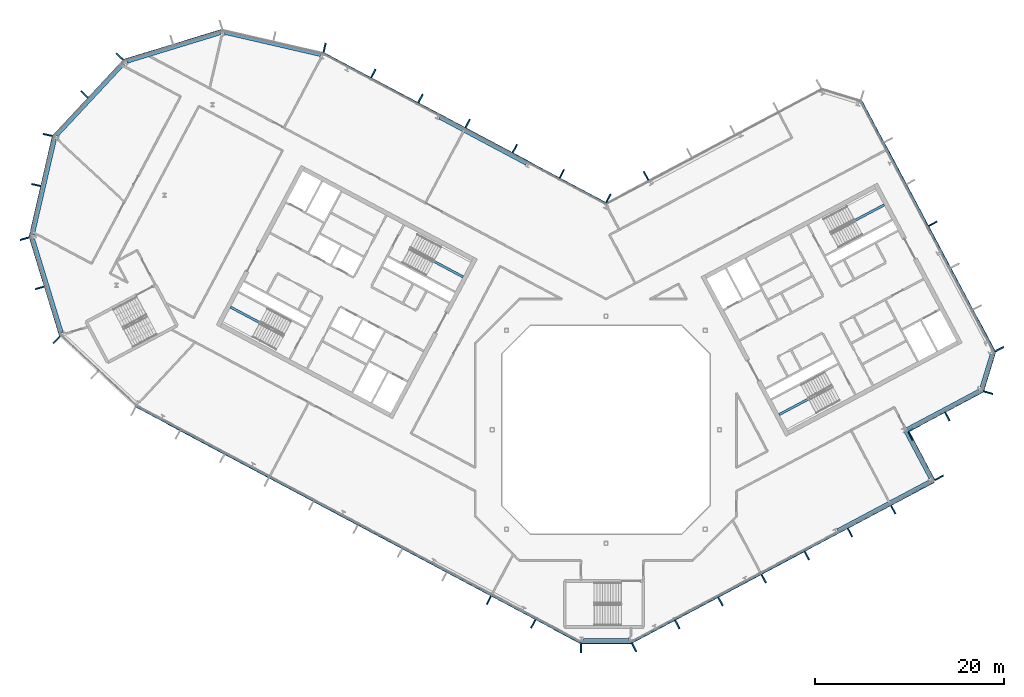
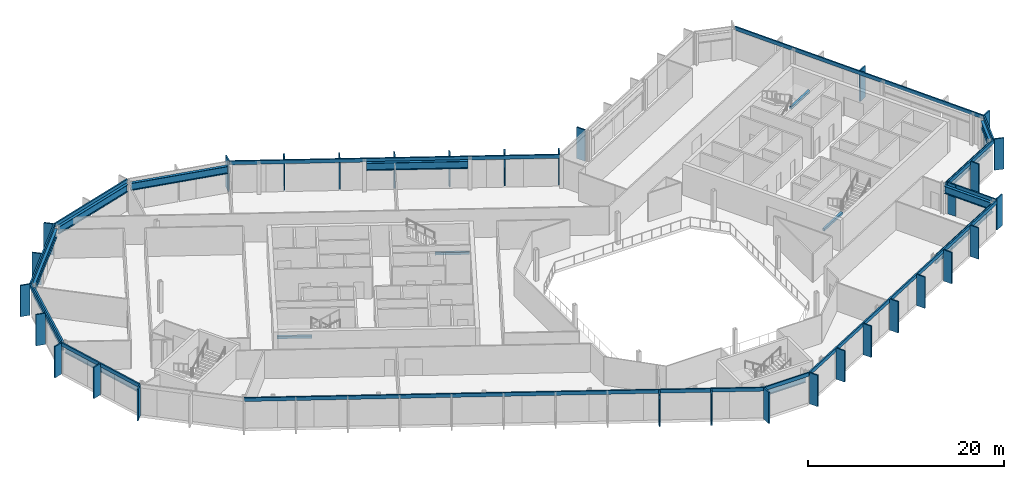
# One storey, part 9 of 26: 43 members, 15 beams, 15 elements without a shape of their own.
"""IFC4 building model written with IfcOpenShell, lengths in metres."""

import ifcopenshell
import ifcopenshell.guid

model = None  # the IFC model being written
_history = None  # IfcOwnerHistory: only IFC2X3 demands one
_inside = {}  # id of a spatial element -> (the spatial element, [elements in it])
_under = {}  # id of a project, library or spatial element -> (it, [spatial elements below it])
_declared = {}  # id of a project -> (the project, [libraries it declares])
_typed = {}  # id of a type object -> (the type object, [elements of that type])
_made_of = {}  # id of a material, layer set ... -> (it, [elements and type objects made of it])


def new_model(schema):
    """Start an empty IFC model of exactly this schema.

    Asked for "IFC4X3", IfcOpenShell would pick the latest addendum, in which some entities
    have other attributes; the version numbers below select the first issue.
    IFC2X3 requires an IfcOwnerHistory on every rooted entity: one is made here for all.
    """
    global model, _history
    if schema == "IFC4X3":
        model = ifcopenshell.file(schema_version=(4, 3, 0, 0))
    else:
        model = ifcopenshell.file(schema=schema)
    _inside.clear()
    _under.clear()
    _declared.clear()
    _typed.clear()
    _made_of.clear()
    _history = None
    if model.schema == "IFC2X3":
        org = make("IfcOrganization", Name="unknown")
        user = make(
            "IfcPersonAndOrganization",
            ThePerson=make("IfcPerson", FamilyName="unknown"),
            TheOrganization=org,
        )
        app = make(
            "IfcApplication",
            ApplicationDeveloper=org,
            Version="unknown",
            ApplicationFullName="unknown",
            ApplicationIdentifier="unknown",
        )
        _history = make(
            "IfcOwnerHistory",
            OwningUser=user,
            OwningApplication=app,
            ChangeAction="ADDED",
            CreationDate=0,
        )
    return model


def make(cls, **values):
    """One entity of the class cls with the attributes given. An attribute that is None is left unset."""
    return model.create_entity(
        cls, **{name: value for name, value in values.items() if value is not None}
    )


def rooted(cls, **values):
    """An entity with a GlobalId (a new one), such as an element, a storey or a relation."""
    return make(cls, GlobalId=ifcopenshell.guid.new(), OwnerHistory=_history, **values)


def si_unit(unit_type, name, prefix=None):
    """IfcSIUnit, for example si_unit("LENGTHUNIT", "METRE", prefix="MILLI")."""
    return make("IfcSIUnit", UnitType=unit_type, Prefix=prefix, Name=name)


def assignment(units):
    """IfcUnitAssignment: the units of a project."""
    return None if units is None else make("IfcUnitAssignment", Units=units)


def point(xyz):
    """IfcCartesianPoint."""
    return None if xyz is None else make("IfcCartesianPoint", Coordinates=xyz)


def direction(xyz):
    """IfcDirection."""
    return None if xyz is None else make("IfcDirection", DirectionRatios=xyz)


def frame(location, z_axis=None, x_axis=None):
    """IfcAxis2Placement3D, a coordinate frame: its origin and axes. An axis left out is left unset."""
    return make(
        "IfcAxis2Placement3D",
        Location=point(location),
        Axis=direction(z_axis),
        RefDirection=direction(x_axis),
    )


def frame_2d(location, x_axis=None):
    """IfcAxis2Placement2D, a coordinate frame in the plane: its origin and x axis."""
    return make(
        "IfcAxis2Placement2D", Location=point(location), RefDirection=direction(x_axis)
    )


def origin():
    """The frame at (0, 0, 0) with its axes left unset."""
    return frame((0.0, 0.0, 0.0))


def origin_2d():
    """The frame at (0, 0) in the plane with its x axis left unset."""
    return frame_2d((0.0, 0.0))


def place(relative_to, where):
    """IfcLocalPlacement: puts the frame where relative to a parent placement (None: the world)."""
    return make(
        "IfcLocalPlacement", PlacementRelTo=relative_to, RelativePlacement=where
    )


def context(
    kind, dimensions, precision=None, world=None, true_north=None, identifier=None
):
    """IfcGeometricRepresentationContext, for example the 3D "Model" context."""
    return make(
        "IfcGeometricRepresentationContext",
        ContextIdentifier=identifier,
        ContextType=kind,
        CoordinateSpaceDimension=dimensions,
        Precision=precision,
        WorldCoordinateSystem=world,
        TrueNorth=true_north,
    )


def subcontext(parent, identifier, kind, view, scale=None):
    """IfcGeometricRepresentationSubContext, for example "Body" below "Model"."""
    return make(
        "IfcGeometricRepresentationSubContext",
        ContextIdentifier=identifier,
        ContextType=kind,
        ParentContext=parent,
        TargetScale=scale,
        TargetView=view,
    )


def project(units=None, contexts=None):
    """IfcProject with its units and contexts."""
    return rooted(
        "IfcProject",
        Name="project",
        RepresentationContexts=contexts,
        UnitsInContext=assignment(units),
    )


def spatial(cls, under=None, at=None, **own):
    """A site, building, storey or space (cls), placed at a placement, below another one or the project."""
    s = rooted(cls, ObjectPlacement=at, **own)
    if under is not None:
        _under.setdefault(under.id(), (under, []))[1].append(s)
    return s


def profile(cls, at=None, kind="AREA", **sizes):
    """A parametric profile (cls). Its sizes go by their IFC names, for example OverallWidth=200.0."""
    return make(cls, ProfileType=kind, Position=at, **sizes)


def rectangle(**sizes):
    """IfcRectangleProfileDef."""
    return profile("IfcRectangleProfileDef", **sizes)


def i_section(**sizes):
    """IfcIShapeProfileDef."""
    return profile("IfcIShapeProfileDef", **sizes)


def extrude(swept, where, along, depth):
    """IfcExtrudedAreaSolid: the profile swept, set in the frame where, extruded along a direction by depth."""
    return make(
        "IfcExtrudedAreaSolid",
        SweptArea=swept,
        Position=where,
        ExtrudedDirection=direction(along),
        Depth=depth,
    )


def shape(context_of_items, identifier, shape_type, items):
    """IfcShapeRepresentation: the items that make up one representation, for example the "Body"."""
    return make(
        "IfcShapeRepresentation",
        ContextOfItems=context_of_items,
        RepresentationIdentifier=identifier,
        RepresentationType=shape_type,
        Items=items,
    )


def material(Name=None, Category=None):
    """IfcMaterial."""
    return make("IfcMaterial", Name=Name, Category=Category)


def layer(
    of_material, thickness, ventilated=None, Name=None, Category=None, Priority=None
):
    """IfcMaterialLayer: one layer of a wall or slab, of a material (None: an air gap)."""
    return make(
        "IfcMaterialLayer",
        Material=of_material,
        LayerThickness=thickness,
        IsVentilated=ventilated,
        Name=Name,
        Category=Category,
        Priority=Priority,
    )


def layer_set(layers, Name=None):
    """IfcMaterialLayerSet."""
    return make("IfcMaterialLayerSet", MaterialLayers=layers, LayerSetName=Name)


def material_profile(
    of_material, cross_section, Name=None, Category=None, Priority=None
):
    """IfcMaterialProfile: a cross section and its material."""
    return make(
        "IfcMaterialProfile",
        Name=Name,
        Material=of_material,
        Profile=cross_section,
        Priority=Priority,
        Category=Category,
    )


def profile_set(profiles, Name=None, composite=None):
    """IfcMaterialProfileSet."""
    return make(
        "IfcMaterialProfileSet",
        Name=Name,
        MaterialProfiles=profiles,
        CompositeProfile=composite,
    )


def made_of(thing, what):
    """Note that an element or type object is made of a material, layer set ...; save() writes the relation."""
    if what is not None:
        _made_of.setdefault(what.id(), (what, []))[1].append(thing)
    return thing


def type_object(cls, material=None, **own):
    """A type object (cls), such as IfcWallType, which elements share."""
    return made_of(rooted(cls, **own), material)


def element(
    cls,
    number,
    at=None,
    inside=None,
    cuts=None,
    type_object=None,
    material=None,
    context=None,
    identifier="Body",
    shape_type=None,
    held_by="IfcProductDefinitionShape",
    body=None,
    shapes=None,
    **own,
):
    """One element of the class cls, such as IfcWall. Its Tag is "e" and its number.

    at: its placement. inside: the storey or other place that contains it. cuts: it is an
    opening in that element (IfcRelVoidsElement). A single representation is given by context,
    identifier, shape_type and body (its items); several are given by shapes. held_by: the class
    of the entity that holds the representations. save() writes the other relations.
    """
    e = rooted(cls, Tag="e%d" % number, ObjectPlacement=at, **own)
    if body is not None:
        shapes = [shape(context, identifier, shape_type, body)]
    if shapes is not None:
        e.Representation = make(held_by, Representations=shapes)
    if inside is not None:
        _inside.setdefault(inside.id(), (inside, []))[1].append(e)
    if cuts is not None:
        rooted(
            "IfcRelVoidsElement", RelatingBuildingElement=cuts, RelatedOpeningElement=e
        )
    if type_object is not None:
        _typed.setdefault(type_object.id(), (type_object, []))[1].append(e)
    return made_of(e, material)


def aggregate(whole, parts):
    """IfcRelAggregates: a whole, such as a stair, and the parts it consists of."""
    return rooted("IfcRelAggregates", RelatingObject=whole, RelatedObjects=parts)


def save(model, path):
    """Write the relations noted so far, then the file.

    IfcRelAggregates (storeys below a building ...), IfcRelContainedInSpatialStructure (elements
    in a storey), IfcRelDefinesByType, IfcRelAssociatesMaterial and IfcRelDeclares: one each for
    every whole, place, type object, material and project.
    """
    for whole, parts in _under.values():
        aggregate(whole, parts)
    for where, things in _inside.values():
        rooted(
            "IfcRelContainedInSpatialStructure",
            RelatedElements=things,
            RelatingStructure=where,
        )
    for kind, things in _typed.values():
        rooted("IfcRelDefinesByType", RelatedObjects=things, RelatingType=kind)
    for what, things in _made_of.values():
        rooted("IfcRelAssociatesMaterial", RelatedObjects=things, RelatingMaterial=what)
    for by, libraries in _declared.values():
        rooted("IfcRelDeclares", RelatingContext=by, RelatedDefinitions=libraries)
    model.write(path)


model = new_model("IFC4")

# Units and contexts
model_context = context("Model", 3, precision=1e-05, world=origin(), true_north=direction((0.0, 1.0)))
body_context = subcontext(model_context, "Body", "Model", "MODEL_VIEW")
ifc_project = project(units=[si_unit("LENGTHUNIT", "METRE"), si_unit("AREAUNIT", "SQUARE_METRE"), si_unit("VOLUMEUNIT", "CUBIC_METRE"), si_unit("PLANEANGLEUNIT", "RADIAN"), si_unit("MASSUNIT", "GRAM", prefix="KILO")], contexts=[model_context])

# Site, building, storey
site_placement = place(None, origin())
site = spatial("IfcSite", under=ifc_project, at=site_placement, CompositionType="ELEMENT")
building_placement = place(site_placement, origin())
building = spatial("IfcBuilding", under=site, at=building_placement, Name="Cormorant Relay Tower", CompositionType="ELEMENT")
storey_placement = place(building_placement, frame((0.0, 0.0, 277.5)))
storey = spatial("IfcBuildingStorey", under=building, at=storey_placement, Name="L62", CompositionType="ELEMENT", Elevation=277.5)

# Curtain wall, member
ifc_material_1 = material(Name="Aluminium 6063-T6 anodised bronze", Category="aluminium")
ifc_layer = layer(ifc_material_1, 0.199951171875)
ifc_layer_set = layer_set([ifc_layer], Name="CW1 unitised bronze curtain wall with vertical fins")
curtain_wall_type = type_object("IfcCurtainWallType", Name="CW1 unitised bronze curtain wall with vertical fins", PredefinedType="NOTDEFINED", material=ifc_layer_set)
curtain_wall_1_placement = place(storey_placement, origin())
curtain_wall_1 = element("IfcCurtainWall", 1, at=curtain_wall_1_placement, inside=storey, type_object=curtain_wall_type, Name="CW1 curtain wall 1", PredefinedType="NOTDEFINED")
ifc_material_2 = material(Name="Aluminium 6063-T6 anodised bronze", Category="aluminium")
ifc_material_profile_1 = material_profile(ifc_material_2, rectangle(XDim=0.14990234375, YDim=1.0, at=origin_2d()), Name="AL 150x1000")
ifc_profile_set_1 = profile_set([ifc_material_profile_1], Name="Aluminium 6063-T6 anodised bronze")
member_type_1 = type_object("IfcMemberType", Name="CW1 bronze fin mullion 150 x 1000", PredefinedType="MULLION", material=ifc_profile_set_1)
member_1_placement = place(storey_placement, frame((-2.648681640625, -23.07568359375, 0.0), z_axis=(0.0, 0.0, 1.0), x_axis=(1.0, 0.0, 0.0)))
member_1 = element("IfcMember", 2, at=member_1_placement, type_object=member_type_1, Name="CW1 fin 1.1", PredefinedType="MULLION", context=body_context, shape_type="SweptSolid", body=[
    extrude(rectangle(XDim=0.14990234375, YDim=1.0, at=origin_2d()), origin(), (0.0, 0.0, 1.0), 3.89990234375),
])

# Curtain wall, members
curtain_wall_2_placement = place(storey_placement, origin())
curtain_wall_2 = element("IfcCurtainWall", 3, at=curtain_wall_2_placement, inside=storey, type_object=curtain_wall_type, Name="CW1 curtain wall 2", PredefinedType="NOTDEFINED")
member_2_placement = place(storey_placement, frame((2.9775390625, -22.99365234375, 0.0), z_axis=(0.0, 0.0, 1.0), x_axis=(0.882947592859, 0.469471562786, 0.0)))
member_2 = element("IfcMember", 4, at=member_2_placement, type_object=member_type_1, Name="CW1 fin 2.1", PredefinedType="MULLION", context=body_context, shape_type="SweptSolid", body=[
    extrude(rectangle(XDim=0.14990234375, YDim=1.0, at=origin_2d()), origin(), (0.0, 0.0, 1.0), 3.89990234375),
])
member_3_placement = place(storey_placement, frame((7.539306640625, -20.568115234375, 0.0), z_axis=(0.0, 0.0, 1.0), x_axis=(0.882947592859, 0.469471562786, 0.0)))
member_3 = element("IfcMember", 5, at=member_3_placement, type_object=member_type_1, Name="CW1 fin 2.2", PredefinedType="MULLION", context=body_context, shape_type="SweptSolid", body=[
    extrude(rectangle(XDim=0.14990234375, YDim=1.0, at=origin_2d()), origin(), (0.0, 0.0, 1.0), 3.89990234375),
])
member_4_placement = place(storey_placement, frame((12.10107421875, -18.142578125, 0.0), z_axis=(0.0, 0.0, 1.0), x_axis=(0.882947592859, 0.469471562786, 0.0)))
member_4 = element("IfcMember", 6, at=member_4_placement, type_object=member_type_1, Name="CW1 fin 2.3", PredefinedType="MULLION", context=body_context, shape_type="SweptSolid", body=[
    extrude(rectangle(XDim=0.14990234375, YDim=1.0, at=origin_2d()), origin(), (0.0, 0.0, 1.0), 3.89990234375),
])
member_5_placement = place(storey_placement, frame((16.662841796875, -15.717041015625, 0.0), z_axis=(0.0, 0.0, 1.0), x_axis=(0.882947592859, 0.469471562786, 0.0)))
member_5 = element("IfcMember", 7, at=member_5_placement, type_object=member_type_1, Name="CW1 fin 2.4", PredefinedType="MULLION", context=body_context, shape_type="SweptSolid", body=[
    extrude(rectangle(XDim=0.14990234375, YDim=1.0, at=origin_2d()), origin(), (0.0, 0.0, 1.0), 3.89990234375),
])
member_6_placement = place(storey_placement, frame((21.224609375, -13.29150390625, 0.0), z_axis=(0.0, 0.0, 1.0), x_axis=(0.882947592859, 0.469471562786, 0.0)))
member_6 = element("IfcMember", 8, at=member_6_placement, type_object=member_type_1, Name="CW1 fin 2.5", PredefinedType="MULLION", context=body_context, shape_type="SweptSolid", body=[
    extrude(rectangle(XDim=0.14990234375, YDim=1.0, at=origin_2d()), origin(), (0.0, 0.0, 1.0), 3.89990234375),
])
member_7_placement = place(storey_placement, frame((25.78662109375, -10.865966796875, 0.0), z_axis=(0.0, 0.0, 1.0), x_axis=(0.882947592859, 0.469471562786, 0.0)))
member_7 = element("IfcMember", 9, at=member_7_placement, type_object=member_type_1, Name="CW1 fin 2.6", PredefinedType="MULLION", context=body_context, shape_type="SweptSolid", body=[
    extrude(rectangle(XDim=0.14990234375, YDim=1.0, at=origin_2d()), origin(), (0.0, 0.0, 1.0), 3.89990234375),
])
member_8_placement = place(storey_placement, frame((30.348388671875, -8.440185546875, 0.0), z_axis=(0.0, 0.0, 1.0), x_axis=(0.882947592859, 0.469471562786, 0.0)))
member_8 = element("IfcMember", 10, at=member_8_placement, type_object=member_type_1, Name="CW1 fin 2.7", PredefinedType="MULLION", context=body_context, shape_type="SweptSolid", body=[
    extrude(rectangle(XDim=0.14990234375, YDim=1.0, at=origin_2d()), origin(), (0.0, 0.0, 1.0), 3.89990234375),
])

# Curtain wall, member
curtain_wall_3_placement = place(storey_placement, origin())
curtain_wall_3 = element("IfcCurtainWall", 11, at=curtain_wall_3_placement, inside=storey, type_object=curtain_wall_type, Name="CW1 curtain wall 3", PredefinedType="NOTDEFINED")
member_9_placement = place(storey_placement, frame((35.199462890625, -5.068115234375, 0.0), z_axis=(0.0, 0.0, 1.0), x_axis=(-0.469471562786, 0.882947592859, 0.0)))
member_9 = element("IfcMember", 12, at=member_9_placement, type_object=member_type_1, Name="CW1 fin 3.1", PredefinedType="MULLION", context=body_context, shape_type="SweptSolid", body=[
    extrude(rectangle(XDim=0.14990234375, YDim=1.0, at=origin_2d()), origin(), (0.0, 0.0, 1.0), 3.89990234375),
])

# Curtain wall, members
curtain_wall_4_placement = place(storey_placement, origin())
curtain_wall_4 = element("IfcCurtainWall", 13, at=curtain_wall_4_placement, inside=storey, type_object=curtain_wall_type, Name="CW1 curtain wall 4", PredefinedType="NOTDEFINED")
member_10_placement = place(storey_placement, frame((32.159423828125, -0.681884765625, 0.0), z_axis=(0.0, 0.0, 1.0), x_axis=(0.882947592859, 0.469471562786, 0.0)))
member_10 = element("IfcMember", 14, at=member_10_placement, type_object=member_type_1, Name="CW1 fin 4.1", PredefinedType="MULLION", context=body_context, shape_type="SweptSolid", body=[
    extrude(rectangle(XDim=0.14990234375, YDim=1.0, at=origin_2d()), origin(), (0.0, 0.0, 1.0), 3.89990234375),
])
member_11_placement = place(storey_placement, frame((36.06640625, 1.3955078125, 0.0), z_axis=(0.0, 0.0, 1.0), x_axis=(0.882947592859, 0.469471562786, 0.0)))
member_11 = element("IfcMember", 15, at=member_11_placement, type_object=member_type_1, Name="CW1 fin 4.2", PredefinedType="MULLION", context=body_context, shape_type="SweptSolid", body=[
    extrude(rectangle(XDim=0.14990234375, YDim=1.0, at=origin_2d()), origin(), (0.0, 0.0, 1.0), 3.89990234375),
])

# Curtain wall, member
curtain_wall_5_placement = place(storey_placement, origin())
curtain_wall_5 = element("IfcCurtainWall", 16, at=curtain_wall_5_placement, inside=storey, type_object=curtain_wall_type, Name="CW1 curtain wall 5", PredefinedType="NOTDEFINED")
member_12_placement = place(storey_placement, frame((40.380615234375, 3.921630859375, 0.0), z_axis=(0.0, 0.0, 1.0), x_axis=(0.292371704723, 0.956304755963, 0.0)))
member_12 = element("IfcMember", 17, at=member_12_placement, type_object=member_type_1, Name="CW1 fin 5.1", PredefinedType="MULLION", context=body_context, shape_type="SweptSolid", body=[
    extrude(rectangle(XDim=0.14990234375, YDim=1.0, at=origin_2d()), origin(), (0.0, 0.0, 1.0), 3.89990234375),
])

# Curtain wall, members
curtain_wall_6_placement = place(storey_placement, origin())
curtain_wall_6 = element("IfcCurtainWall", 18, at=curtain_wall_6_placement, inside=storey, type_object=curtain_wall_type, Name="CW1 curtain wall 6", PredefinedType="NOTDEFINED")
member_13_placement = place(storey_placement, frame((41.569580078125, 8.51220703125, 0.0), z_axis=(0.0, 0.0, 1.0), x_axis=(-0.469471562786, 0.882947592859, 0.0)))
member_13 = element("IfcMember", 19, at=member_13_placement, type_object=member_type_1, Name="CW1 fin 6.1", PredefinedType="MULLION", context=body_context, shape_type="SweptSolid", body=[
    extrude(rectangle(XDim=0.14990234375, YDim=1.0, at=origin_2d()), origin(), (0.0, 0.0, 1.0), 3.89990234375),
])
member_14_placement = place(storey_placement, frame((34.527587890625, 21.75634765625, 0.0), z_axis=(0.0, 0.0, 1.0), x_axis=(-0.469471562786, 0.882947592859, 0.0)))
member_14 = element("IfcMember", 20, at=member_14_placement, type_object=member_type_1, Name="CW1 fin 6.4", PredefinedType="MULLION", context=body_context, shape_type="SweptSolid", body=[
    extrude(rectangle(XDim=0.14990234375, YDim=1.0, at=origin_2d()), origin(), (0.0, 0.0, 1.0), 3.89990234375),
])

# Curtain wall, member
curtain_wall_7_placement = place(storey_placement, origin())
curtain_wall_7 = element("IfcCurtainWall", 21, at=curtain_wall_7_placement, inside=storey, type_object=curtain_wall_type, Name="CW1 curtain wall 8", PredefinedType="NOTDEFINED")
member_15_placement = place(storey_placement, frame((4.2333984375, 26.82763671875, 0.0), z_axis=(0.0, 0.0, 1.0), x_axis=(-0.882947592859, -0.469471562786, 0.0)))
member_15 = element("IfcMember", 22, at=member_15_placement, type_object=member_type_1, Name="CW1 fin 8.5", PredefinedType="MULLION", context=body_context, shape_type="SweptSolid", body=[
    extrude(rectangle(XDim=0.14990234375, YDim=1.0, at=origin_2d()), origin(), (0.0, 0.0, 1.0), 3.89990234375),
])
aggregate(curtain_wall_7, [member_15])

# Curtain wall, members
curtain_wall_8_placement = place(storey_placement, origin())
curtain_wall_8 = element("IfcCurtainWall", 23, at=curtain_wall_8_placement, inside=storey, type_object=curtain_wall_type, Name="CW1 curtain wall 9", PredefinedType="NOTDEFINED")
member_16_placement = place(storey_placement, frame((0.262451171875, 24.437255859375, 0.0), z_axis=(0.0, 0.0, 1.0), x_axis=(-0.882947592859, 0.469471562786, 0.0)))
member_16 = element("IfcMember", 24, at=member_16_placement, type_object=member_type_1, Name="CW1 fin 9.1", PredefinedType="MULLION", context=body_context, shape_type="SweptSolid", body=[
    extrude(rectangle(XDim=0.14990234375, YDim=1.0, at=origin_2d()), origin(), (0.0, 0.0, 1.0), 3.89990234375),
])
member_17_placement = place(storey_placement, frame((-4.650390625, 27.04931640625, 0.0), z_axis=(0.0, 0.0, 1.0), x_axis=(-0.882947592859, 0.469471562786, 0.0)))
member_17 = element("IfcMember", 25, at=member_17_placement, type_object=member_type_1, Name="CW1 fin 9.2", PredefinedType="MULLION", context=body_context, shape_type="SweptSolid", body=[
    extrude(rectangle(XDim=0.14990234375, YDim=1.0, at=origin_2d()), origin(), (0.0, 0.0, 1.0), 3.89990234375),
])
member_18_placement = place(storey_placement, frame((-9.62939453125, 29.69677734375, 0.0), z_axis=(0.0, 0.0, 1.0), x_axis=(-0.882947592859, 0.469471562786, 0.0)))
member_18 = element("IfcMember", 26, at=member_18_placement, type_object=member_type_1, Name="CW1 fin 9.3", PredefinedType="MULLION", context=body_context, shape_type="SweptSolid", body=[
    extrude(rectangle(XDim=0.14990234375, YDim=1.0, at=origin_2d()), origin(), (0.0, 0.0, 1.0), 3.89990234375),
])
member_19_placement = place(storey_placement, frame((-14.608154296875, 32.343994140625, 0.0), z_axis=(0.0, 0.0, 1.0), x_axis=(-0.882947592859, 0.469471562786, 0.0)))
member_19 = element("IfcMember", 27, at=member_19_placement, type_object=member_type_1, Name="CW1 fin 9.4", PredefinedType="MULLION", context=body_context, shape_type="SweptSolid", body=[
    extrude(rectangle(XDim=0.14990234375, YDim=1.0, at=origin_2d()), origin(), (0.0, 0.0, 1.0), 3.89990234375),
])
member_20_placement = place(storey_placement, frame((-19.587158203125, 34.991455078125, 0.0), z_axis=(0.0, 0.0, 1.0), x_axis=(-0.882947592859, 0.469471562786, 0.0)))
member_20 = element("IfcMember", 28, at=member_20_placement, type_object=member_type_1, Name="CW1 fin 9.5", PredefinedType="MULLION", context=body_context, shape_type="SweptSolid", body=[
    extrude(rectangle(XDim=0.14990234375, YDim=1.0, at=origin_2d()), origin(), (0.0, 0.0, 1.0), 3.89990234375),
])
member_21_placement = place(storey_placement, frame((-24.566162109375, 37.638916015625, 0.0), z_axis=(0.0, 0.0, 1.0), x_axis=(-0.882947592859, 0.469471562786, 0.0)))
member_21 = element("IfcMember", 29, at=member_21_placement, type_object=member_type_1, Name="CW1 fin 9.6", PredefinedType="MULLION", context=body_context, shape_type="SweptSolid", body=[
    extrude(rectangle(XDim=0.14990234375, YDim=1.0, at=origin_2d()), origin(), (0.0, 0.0, 1.0), 3.89990234375),
])

# Curtain wall, member
curtain_wall_9_placement = place(storey_placement, origin())
curtain_wall_9 = element("IfcCurtainWall", 30, at=curtain_wall_9_placement, inside=storey, type_object=curtain_wall_type, Name="CW1 curtain wall 10", PredefinedType="NOTDEFINED")
member_22_placement = place(storey_placement, frame((-29.71630859375, 40.35009765625, 0.0), z_axis=(0.0, 0.0, 1.0), x_axis=(-0.974370064785, 0.224951054344, 0.0)))
member_22 = element("IfcMember", 31, at=member_22_placement, type_object=member_type_1, Name="CW1 fin 10.1", PredefinedType="MULLION", context=body_context, shape_type="SweptSolid", body=[
    extrude(rectangle(XDim=0.14990234375, YDim=1.0, at=origin_2d()), origin(), (0.0, 0.0, 1.0), 3.89990234375),
])
aggregate(curtain_wall_9, [member_22])

# Curtain wall, members
curtain_wall_10_placement = place(storey_placement, origin())
curtain_wall_10 = element("IfcCurtainWall", 32, at=curtain_wall_10_placement, inside=storey, type_object=curtain_wall_type, Name="CW1 curtain wall 12", PredefinedType="NOTDEFINED")
member_23_placement = place(storey_placement, frame((-51.372802734375, 39.41259765625, 0.0), z_axis=(0.0, 0.0, 1.0), x_axis=(-0.681998360062, -0.731353701619, 0.0)))
member_23 = element("IfcMember", 33, at=member_23_placement, type_object=member_type_1, Name="CW1 fin 12.1", PredefinedType="MULLION", context=body_context, shape_type="SweptSolid", body=[
    extrude(rectangle(XDim=0.14990234375, YDim=1.0, at=origin_2d()), origin(), (0.0, 0.0, 1.0), 3.89990234375),
])
member_24_placement = place(storey_placement, frame((-55.07958984375, 35.4375, 0.0), z_axis=(0.0, 0.0, 1.0), x_axis=(-0.681998360062, -0.731353701619, 0.0)))
member_24 = element("IfcMember", 34, at=member_24_placement, type_object=member_type_1, Name="CW1 fin 12.2", PredefinedType="MULLION", context=body_context, shape_type="SweptSolid", body=[
    extrude(rectangle(XDim=0.14990234375, YDim=1.0, at=origin_2d()), origin(), (0.0, 0.0, 1.0), 3.89990234375),
])

curtain_wall_11_placement = place(storey_placement, origin())
curtain_wall_11 = element("IfcCurtainWall", 35, at=curtain_wall_11_placement, inside=storey, type_object=curtain_wall_type, Name="CW1 curtain wall 13", PredefinedType="NOTDEFINED")
member_25_placement = place(storey_placement, frame((-58.95654296875, 31.142578125, 0.0), z_axis=(0.0, 0.0, 1.0), x_axis=(-0.224951054344, -0.974370064785, 0.0)))
member_25 = element("IfcMember", 36, at=member_25_placement, type_object=member_type_1, Name="CW1 fin 13.1", PredefinedType="MULLION", context=body_context, shape_type="SweptSolid", body=[
    extrude(rectangle(XDim=0.14990234375, YDim=1.0, at=origin_2d()), origin(), (0.0, 0.0, 1.0), 3.89990234375),
])
member_26_placement = place(storey_placement, frame((-60.17919921875, 25.8466796875, 0.0), z_axis=(0.0, 0.0, 1.0), x_axis=(-0.224951054344, -0.974370064785, 0.0)))
member_26 = element("IfcMember", 37, at=member_26_placement, type_object=member_type_1, Name="CW1 fin 13.2", PredefinedType="MULLION", context=body_context, shape_type="SweptSolid", body=[
    extrude(rectangle(XDim=0.14990234375, YDim=1.0, at=origin_2d()), origin(), (0.0, 0.0, 1.0), 3.89990234375),
])

curtain_wall_12_placement = place(storey_placement, origin())
curtain_wall_12 = element("IfcCurtainWall", 38, at=curtain_wall_12_placement, inside=storey, type_object=curtain_wall_type, Name="CW1 curtain wall 14", PredefinedType="NOTDEFINED")
member_27_placement = place(storey_placement, frame((-61.389404296875, 20.188720703125, 0.0), z_axis=(0.0, 0.0, 1.0), x_axis=(0.292371704723, -0.956304755963, 0.0)))
member_27 = element("IfcMember", 39, at=member_27_placement, type_object=member_type_1, Name="CW1 fin 14.1", PredefinedType="MULLION", context=body_context, shape_type="SweptSolid", body=[
    extrude(rectangle(XDim=0.14990234375, YDim=1.0, at=origin_2d()), origin(), (0.0, 0.0, 1.0), 3.89990234375),
])
member_28_placement = place(storey_placement, frame((-59.80029296875, 14.990966796875, 0.0), z_axis=(0.0, 0.0, 1.0), x_axis=(0.292371704723, -0.956304755963, 0.0)))
member_28 = element("IfcMember", 40, at=member_28_placement, type_object=member_type_1, Name="CW1 fin 14.2", PredefinedType="MULLION", context=body_context, shape_type="SweptSolid", body=[
    extrude(rectangle(XDim=0.14990234375, YDim=1.0, at=origin_2d()), origin(), (0.0, 0.0, 1.0), 3.89990234375),
])

# Curtain wall, member
curtain_wall_13_placement = place(storey_placement, origin())
curtain_wall_13 = element("IfcCurtainWall", 41, at=curtain_wall_13_placement, inside=storey, type_object=curtain_wall_type, Name="CW1 curtain wall 15", PredefinedType="NOTDEFINED")
member_29_placement = place(storey_placement, frame((-58.01904296875, 9.486083984375, 0.0), z_axis=(0.0, 0.0, 1.0), x_axis=(0.731353701619, -0.681998360062, 0.0)))
member_29 = element("IfcMember", 42, at=member_29_placement, type_object=member_type_1, Name="CW1 fin 15.1", PredefinedType="MULLION", context=body_context, shape_type="SweptSolid", body=[
    extrude(rectangle(XDim=0.14990234375, YDim=1.0, at=origin_2d()), origin(), (0.0, 0.0, 1.0), 3.89990234375),
])
aggregate(curtain_wall_13, [member_29])

# Curtain wall, members
curtain_wall_14_placement = place(storey_placement, origin())
curtain_wall_14 = element("IfcCurtainWall", 43, at=curtain_wall_14_placement, inside=storey, type_object=curtain_wall_type, Name="CW1 curtain wall 16", PredefinedType="NOTDEFINED")
member_30_placement = place(storey_placement, frame((-12.365966796875, -18.001708984375, 0.0), z_axis=(0.0, 0.0, 1.0), x_axis=(0.882947592859, -0.469471562786, 0.0)))
member_30 = element("IfcMember", 44, at=member_30_placement, type_object=member_type_1, Name="CW1 fin 16.9", PredefinedType="MULLION", context=body_context, shape_type="SweptSolid", body=[
    extrude(rectangle(XDim=0.14990234375, YDim=1.0, at=origin_2d()), origin(), (0.0, 0.0, 1.0), 3.89990234375),
])
member_31_placement = place(storey_placement, frame((-7.671630859375, -20.49755859375, 0.0), z_axis=(0.0, 0.0, 1.0), x_axis=(0.882947592859, -0.469471562786, 0.0)))
member_31 = element("IfcMember", 45, at=member_31_placement, type_object=member_type_1, Name="CW1 fin 16.10", PredefinedType="MULLION", context=body_context, shape_type="SweptSolid", body=[
    extrude(rectangle(XDim=0.14990234375, YDim=1.0, at=origin_2d()), origin(), (0.0, 0.0, 1.0), 3.89990234375),
])

# Member
ifc_material_3 = material(Name="Aluminium 6063-T6 anodised bronze", Category="aluminium")
ifc_material_profile_2 = material_profile(ifc_material_3, rectangle(XDim=0.159912109375, YDim=0.449951171875, at=origin_2d()), Name="AL 160x450")
ifc_profile_set_2 = profile_set([ifc_material_profile_2], Name="Aluminium 6063-T6 anodised bronze")
member_type_2 = type_object("IfcMemberType", Name="CW1 bronze transom 160 x 450", PredefinedType="USERDEFINED", material=ifc_profile_set_2)
member_32_placement = place(storey_placement, frame((-2.648681640625, -22.49560546875, 3.675048828125), z_axis=(1.0, 0.0, 0.0), x_axis=(0.0, 1.0, 0.0)))
member_32 = element("IfcMember", 46, at=member_32_placement, type_object=member_type_2, Name="CW1 transom 1", ObjectType="TRANSOM", PredefinedType="USERDEFINED", context=body_context, shape_type="SweptSolid", body=[
    extrude(rectangle(XDim=0.159912109375, YDim=0.449951171875, at=origin_2d()), origin(), (0.0, 0.0, 1.0), 5.29736328125),
])

aggregate(curtain_wall_1, [member_1, member_32])

member_33_placement = place(storey_placement, frame((2.705078125, -22.4814453125, 3.675048828125), z_axis=(0.882948899141, 0.469469106018, 0.0), x_axis=(-0.469469106018, 0.882948899141, 0.0)))
member_33 = element("IfcMember", 47, at=member_33_placement, type_object=member_type_2, Name="CW1 transom 2", ObjectType="TRANSOM", PredefinedType="USERDEFINED", context=body_context, shape_type="SweptSolid", body=[
    extrude(rectangle(XDim=0.159912109375, YDim=0.449951171875, at=origin_2d()), origin(), (0.0, 0.0, 1.0), 36.165771484375),
])

aggregate(curtain_wall_2, [member_2, member_3, member_4, member_5, member_6, member_7, member_8, member_33])

member_34_placement = place(storey_placement, frame((34.6875, -5.34033203125, 3.675048828125), z_axis=(-0.469485426614, 0.882940221191, 0.0), x_axis=(-0.882940221191, -0.469485426614, 0.0)))
member_34 = element("IfcMember", 48, at=member_34_placement, type_object=member_type_2, Name="CW1 transom 3", ObjectType="TRANSOM", PredefinedType="USERDEFINED", context=body_context, shape_type="SweptSolid", body=[
    extrude(rectangle(XDim=0.159912109375, YDim=0.449951171875, at=origin_2d()), origin(), (0.0, 0.0, 1.0), 6.0),
])

aggregate(curtain_wall_3, [member_9, member_34])

member_35_placement = place(storey_placement, frame((31.82080078125, -0.205078125, 3.675048828125), z_axis=(0.882949189538, 0.469468559857, 0.0), x_axis=(-0.469468559857, 0.882949189538, 0.0)))
member_35 = element("IfcMember", 49, at=member_35_placement, type_object=member_type_2, Name="CW1 transom 4", ObjectType="TRANSOM", PredefinedType="USERDEFINED", context=body_context, shape_type="SweptSolid", body=[
    extrude(rectangle(XDim=0.159912109375, YDim=0.449951171875, at=origin_2d()), origin(), (0.0, 0.0, 1.0), 9.000244140625),
])

aggregate(curtain_wall_4, [member_10, member_11, member_35])

member_36_placement = place(storey_placement, frame((39.825927734375, 4.091064453125, 3.675048828125), z_axis=(0.292374957137, 0.956303761594, 0.0), x_axis=(-0.956303761594, 0.292374957137, 0.0)))
member_36 = element("IfcMember", 50, at=member_36_placement, type_object=member_type_2, Name="CW1 transom 5", ObjectType="TRANSOM", PredefinedType="USERDEFINED", context=body_context, shape_type="SweptSolid", body=[
    extrude(rectangle(XDim=0.159912109375, YDim=0.449951171875, at=origin_2d()), origin(), (0.0, 0.0, 1.0), 4.24267578125),
])

aggregate(curtain_wall_5, [member_12, member_36])

member_37_placement = place(storey_placement, frame((41.0576171875, 8.23974609375, 3.675048828125), z_axis=(-0.469472335483, 0.882947182008, 0.0), x_axis=(-0.882947182008, -0.469472335483, 0.0)))
member_37 = element("IfcMember", 51, at=member_37_placement, type_object=member_type_2, Name="CW1 transom 6", ObjectType="TRANSOM", PredefinedType="USERDEFINED", context=body_context, shape_type="SweptSolid", body=[
    extrude(rectangle(XDim=0.159912109375, YDim=0.449951171875, at=origin_2d()), origin(), (0.0, 0.0, 1.0), 30.000244140625),
])

aggregate(curtain_wall_6, [member_13, member_14, member_37])

member_38_placement = place(storey_placement, frame((0.056396484375, 23.889892578125, 3.675048828125), z_axis=(-0.882946280328, 0.46947403129, 0.0), x_axis=(-0.46947403129, -0.882946280328, 0.0)))
member_38 = element("IfcMember", 52, at=member_38_placement, type_object=member_type_2, Name="CW1 transom 9", ObjectType="TRANSOM", PredefinedType="USERDEFINED", context=body_context, shape_type="SweptSolid", body=[
    extrude(rectangle(XDim=0.159912109375, YDim=0.449951171875, at=origin_2d()), origin(), (0.0, 0.0, 1.0), 33.834228515625),
])

aggregate(curtain_wall_8, [member_16, member_17, member_18, member_19, member_20, member_21, member_38])

# Curtain wall, member
curtain_wall_15_placement = place(storey_placement, origin())
curtain_wall_15 = element("IfcCurtainWall", 53, at=curtain_wall_15_placement, inside=storey, type_object=curtain_wall_type, Name="CW1 curtain wall 11", PredefinedType="NOTDEFINED")
member_39_placement = place(storey_placement, frame((-40.50048828125, 42.228271484375, 3.675048828125), z_axis=(-0.956304833932, -0.292371449698, 0.0), x_axis=(0.292371449698, -0.956304833932, 0.0)))
member_39 = element("IfcMember", 54, at=member_39_placement, type_object=member_type_2, Name="CW1 transom 11", ObjectType="TRANSOM", PredefinedType="USERDEFINED", context=body_context, shape_type="SweptSolid", body=[
    extrude(rectangle(XDim=0.159912109375, YDim=0.449951171875, at=origin_2d()), origin(), (0.0, 0.0, 1.0), 10.87060546875),
])
aggregate(curtain_wall_15, [member_39])

# Member
member_40_placement = place(storey_placement, frame((-50.94873046875, 39.01708984375, 3.675048828125), z_axis=(-0.681993299437, -0.731358420696, 0.0), x_axis=(0.731358420696, -0.681993299437, 0.0)))
member_40 = element("IfcMember", 55, at=member_40_placement, type_object=member_type_2, Name="CW1 transom 12", ObjectType="TRANSOM", PredefinedType="USERDEFINED", context=body_context, shape_type="SweptSolid", body=[
    extrude(rectangle(XDim=0.159912109375, YDim=0.449951171875, at=origin_2d()), origin(), (0.0, 0.0, 1.0), 10.870361328125),
])

aggregate(curtain_wall_10, [member_23, member_24, member_40])

member_41_placement = place(storey_placement, frame((-58.3916015625, 31.01220703125, 3.675048828125), z_axis=(-0.22495136131, -0.974369993916, 0.0), x_axis=(0.974369993916, -0.22495136131, 0.0)))
member_41 = element("IfcMember", 56, at=member_41_placement, type_object=member_type_2, Name="CW1 transom 13", ObjectType="TRANSOM", PredefinedType="USERDEFINED", context=body_context, shape_type="SweptSolid", body=[
    extrude(rectangle(XDim=0.159912109375, YDim=0.449951171875, at=origin_2d()), origin(), (0.0, 0.0, 1.0), 10.870361328125),
])

aggregate(curtain_wall_11, [member_25, member_26, member_41])

member_42_placement = place(storey_placement, frame((-60.834716796875, 20.358154296875, 3.675048828125), z_axis=(0.292377729282, -0.95630291405, 0.0), x_axis=(0.95630291405, 0.292377729282, 0.0)))
member_42 = element("IfcMember", 57, at=member_42_placement, type_object=member_type_2, Name="CW1 transom 14", ObjectType="TRANSOM", PredefinedType="USERDEFINED", context=body_context, shape_type="SweptSolid", body=[
    extrude(rectangle(XDim=0.159912109375, YDim=0.449951171875, at=origin_2d()), origin(), (0.0, 0.0, 1.0), 10.870361328125),
])

aggregate(curtain_wall_12, [member_27, member_28, member_42])

member_43_placement = place(storey_placement, frame((-49.64794921875, 2.478515625, 3.675048828125), z_axis=(0.882947642542, -0.469471469346, 0.0), x_axis=(0.469471469346, 0.882947642542, 0.0)))
member_43 = element("IfcMember", 58, at=member_43_placement, type_object=member_type_2, Name="CW1 transom 16", ObjectType="TRANSOM", PredefinedType="USERDEFINED", context=body_context, shape_type="SweptSolid", body=[
    extrude(rectangle(XDim=0.159912109375, YDim=0.449951171875, at=origin_2d()), origin(), (0.0, 0.0, 1.0), 53.166015625),
])

aggregate(curtain_wall_14, [member_30, member_31, member_43])

# Beams
ifc_material_4 = material(Name="Steel ASTM A992 (Fy 345 MPa)", Category="steel")
ifc_material_profile_3 = material_profile(ifc_material_4, i_section(OverallWidth=0.307373046875, OverallDepth=0.927001953125, WebThickness=0.019287109375, FlangeThickness=0.031982421875, FilletRadius=0.01904296875, at=origin_2d()), Name="W920x289")
ifc_profile_set_3 = profile_set([ifc_material_profile_3], Name="Steel ASTM A992 (Fy 345 MPa)")
beam_type_1 = type_object("IfcBeamType", Name="Spandrel W920x289", PredefinedType="SPANDREL", material=ifc_profile_set_3)
beam_1_placement = place(storey_placement, frame((-2.377197265625, -22.221923828125, 3.076416015625), z_axis=(1.0, 0.0, 0.0), x_axis=(0.0, 1.0, 0.0)))
element("IfcBeam", 59, at=beam_1_placement, inside=storey, type_object=beam_type_1, Name="Spandrel beam L62-001", PredefinedType="SPANDREL", context=body_context, shape_type="SweptSolid", body=[
    extrude(i_section(OverallWidth=0.307373046875, OverallDepth=0.927001953125, WebThickness=0.019287109375, FlangeThickness=0.031982421875, FilletRadius=0.01904296875, at=origin_2d()), origin(), (0.0, 0.0, 1.0), 4.79541015625),
])
beam_2_placement = place(storey_placement, frame((24.44287109375, -10.61328125, 3.076416015625), z_axis=(0.882957797597, 0.469452369961, 0.0), x_axis=(-0.469452369961, 0.882957797597, 0.0)))
element("IfcBeam", 60, at=beam_2_placement, inside=storey, type_object=beam_type_1, Name="Spandrel beam L62-002", PredefinedType="SPANDREL", context=body_context, shape_type="SweptSolid", body=[
    extrude(i_section(OverallWidth=0.307373046875, OverallDepth=0.927001953125, WebThickness=0.019287109375, FlangeThickness=0.031982421875, FilletRadius=0.01904296875, at=origin_2d()), origin(), (0.0, 0.0, 1.0), 10.992431640625),
])
beam_3_placement = place(storey_placement, frame((34.254638671875, -5.109619140625, 3.076416015625), z_axis=(-0.469457325339, 0.882955162897, 0.0), x_axis=(-0.882955162897, -0.469457325339, 0.0)))
element("IfcBeam", 61, at=beam_3_placement, inside=storey, type_object=beam_type_1, Name="Spandrel beam L62-003", PredefinedType="SPANDREL", context=body_context, shape_type="SweptSolid", body=[
    extrude(i_section(OverallWidth=0.307373046875, OverallDepth=0.927001953125, WebThickness=0.019287109375, FlangeThickness=0.031982421875, FilletRadius=0.01904296875, at=origin_2d()), origin(), (0.0, 0.0, 1.0), 5.593017578125),
])
beam_4_placement = place(storey_placement, frame((31.6923828125, 0.03662109375, 3.076416015625), z_axis=(0.882943393008, 0.469479461472, 0.0), x_axis=(-0.469479461472, 0.882943393008, 0.0)))
element("IfcBeam", 62, at=beam_4_placement, inside=storey, type_object=beam_type_1, Name="Spandrel beam L62-004", PredefinedType="SPANDREL", context=body_context, shape_type="SweptSolid", body=[
    extrude(i_section(OverallWidth=0.307373046875, OverallDepth=0.927001953125, WebThickness=0.019287109375, FlangeThickness=0.031982421875, FilletRadius=0.01904296875, at=origin_2d()), origin(), (0.0, 0.0, 1.0), 8.734375),
])
beam_5_placement = place(storey_placement, frame((39.6591796875, 4.4814453125, 3.076416015625), z_axis=(0.292323829151, 0.956319391684, 0.0), x_axis=(-0.956319391684, 0.292323829151, 0.0)))
element("IfcBeam", 63, at=beam_5_placement, inside=storey, type_object=beam_type_1, Name="Spandrel beam L62-005", PredefinedType="SPANDREL", context=body_context, shape_type="SweptSolid", body=[
    extrude(i_section(OverallWidth=0.307373046875, OverallDepth=0.927001953125, WebThickness=0.019287109375, FlangeThickness=0.031982421875, FilletRadius=0.01904296875, at=origin_2d()), origin(), (0.0, 0.0, 1.0), 3.652099609375),
])
beam_6_placement = place(storey_placement, frame((-8.401611328125, 28.0771484375, 3.076416015625), z_axis=(-0.882945471565, 0.469475552338, 0.0), x_axis=(-0.469475552338, -0.882945471565, 0.0)))
element("IfcBeam", 64, at=beam_6_placement, inside=storey, type_object=beam_type_1, Name="Spandrel beam L62-009", PredefinedType="SPANDREL", context=body_context, shape_type="SweptSolid", body=[
    extrude(i_section(OverallWidth=0.307373046875, OverallDepth=0.927001953125, WebThickness=0.019287109375, FlangeThickness=0.031982421875, FilletRadius=0.01904296875, at=origin_2d()), origin(), (0.0, 0.0, 1.0), 10.401123046875),
])
beam_7_placement = place(storey_placement, frame((-30.138427734375, 39.571533203125, 3.076416015625), z_axis=(-0.97437021882, 0.224950387145, 0.0), x_axis=(-0.224950387145, -0.97437021882, 0.0)))
element("IfcBeam", 65, at=beam_7_placement, inside=storey, type_object=beam_type_1, Name="Spandrel beam L62-010", PredefinedType="SPANDREL", context=body_context, shape_type="SweptSolid", body=[
    extrude(i_section(OverallWidth=0.307373046875, OverallDepth=0.927001953125, WebThickness=0.019287109375, FlangeThickness=0.031982421875, FilletRadius=0.01904296875, at=origin_2d()), origin(), (0.0, 0.0, 1.0), 10.3984375),
])
beam_8_placement = place(storey_placement, frame((-40.68505859375, 41.8857421875, 3.076416015625), z_axis=(-0.956304903575, -0.292371221906, 0.0), x_axis=(0.292371221906, -0.956304903575, 0.0)))
element("IfcBeam", 66, at=beam_8_placement, inside=storey, type_object=beam_type_1, Name="Spandrel beam L62-011", PredefinedType="SPANDREL", context=body_context, shape_type="SweptSolid", body=[
    extrude(i_section(OverallWidth=0.307373046875, OverallDepth=0.927001953125, WebThickness=0.019287109375, FlangeThickness=0.031982421875, FilletRadius=0.01904296875, at=origin_2d()), origin(), (0.0, 0.0, 1.0), 10.358642578125),
])
beam_9_placement = place(storey_placement, frame((-50.9375, 38.627685546875, 3.076416015625), z_axis=(-0.682009982741, -0.731342863124, 0.0), x_axis=(0.731342863124, -0.682009982741, 0.0)))
element("IfcBeam", 67, at=beam_9_placement, inside=storey, type_object=beam_type_1, Name="Spandrel beam L62-012", PredefinedType="SPANDREL", context=body_context, shape_type="SweptSolid", body=[
    extrude(i_section(OverallWidth=0.307373046875, OverallDepth=0.927001953125, WebThickness=0.019287109375, FlangeThickness=0.031982421875, FilletRadius=0.01904296875, at=origin_2d()), origin(), (0.0, 0.0, 1.0), 10.35791015625),
])
beam_10_placement = place(storey_placement, frame((-58.18701171875, 30.680908203125, 3.076416015625), z_axis=(-0.224955895786, -0.974368947038, 0.0), x_axis=(0.974368947038, -0.224955895786, 0.0)))
element("IfcBeam", 68, at=beam_10_placement, inside=storey, type_object=beam_type_1, Name="Spandrel beam L62-013", PredefinedType="SPANDREL", context=body_context, shape_type="SweptSolid", body=[
    extrude(i_section(OverallWidth=0.307373046875, OverallDepth=0.927001953125, WebThickness=0.019287109375, FlangeThickness=0.031982421875, FilletRadius=0.01904296875, at=origin_2d()), origin(), (0.0, 0.0, 1.0), 10.359130859375),
])
beam_11_placement = place(storey_placement, frame((-60.49169921875, 20.1728515625, 3.076416015625), z_axis=(0.292367651593, -0.95630599512, 0.0), x_axis=(0.95630599512, 0.292367651593, 0.0)))
element("IfcBeam", 69, at=beam_11_placement, inside=storey, type_object=beam_type_1, Name="Spandrel beam L62-014", PredefinedType="SPANDREL", context=body_context, shape_type="SweptSolid", body=[
    extrude(i_section(OverallWidth=0.307373046875, OverallDepth=0.927001953125, WebThickness=0.019287109375, FlangeThickness=0.031982421875, FilletRadius=0.01904296875, at=origin_2d()), origin(), (0.0, 0.0, 1.0), 10.357177734375),
])
ifc_material_5 = material(Name="Concrete 50 MPa", Category="concrete")
ifc_material_profile_4 = material_profile(ifc_material_5, rectangle(XDim=0.25, YDim=0.300048828125, at=origin_2d()), Name="RC 250x300")
ifc_profile_set_4 = profile_set([ifc_material_profile_4], Name="Concrete 50 MPa")
beam_type_2 = type_object("IfcBeamType", Name="Stair landing ledge beam 250x300", PredefinedType="BEAM", material=ifc_profile_set_4)
beam_12_placement = place(storey_placement, frame((-18.219482421875, 17.813720703125, 1.60009765625), z_axis=(0.882950035608, -0.469466968614, 0.0), x_axis=(0.469466968614, 0.882950035608, 0.0)))
element("IfcBeam", 70, at=beam_12_placement, inside=storey, type_object=beam_type_2, Name="A1 landing ledge beam", PredefinedType="BEAM", context=body_context, shape_type="SweptSolid", body=[
    extrude(rectangle(XDim=0.25, YDim=0.300048828125, at=origin_2d()), origin(), (0.0, 0.0, 1.0), 3.5498046875),
])
for number, where, z_axis, x_axis, name in (
    (71, (-36.523193359375, 11.29345703125, 1.60009765625), (-0.88293668587, 0.469492075273, 0.0), (-0.469492075273, -0.88293668587, 0.0), "A2 landing ledge beam"),
    (72, (21.4248046875, 3.265380859375, 1.60009765625), (-0.88296519247, -0.469438461235, 0.0), (0.469438461235, -0.88296519247, 0.0), "B1 landing ledge beam"),
    (73, (26.25439453125, 22.0859375, 1.60009765625), (0.88296519247, 0.469438461235, 0.0), (-0.469438461235, 0.88296519247, 0.0), "B2 landing ledge beam"),
):
    element("IfcBeam", number, at=place(storey_placement, frame(where, z_axis=z_axis, x_axis=x_axis)), inside=storey, type_object=beam_type_2, Name=name, PredefinedType="BEAM", context=body_context, shape_type="SweptSolid", body=[
        extrude(rectangle(XDim=0.25, YDim=0.300048828125, at=origin_2d()), origin(), (0.0, 0.0, 1.0), 3.550048828125),
    ])

save(model, "model.ifc")
